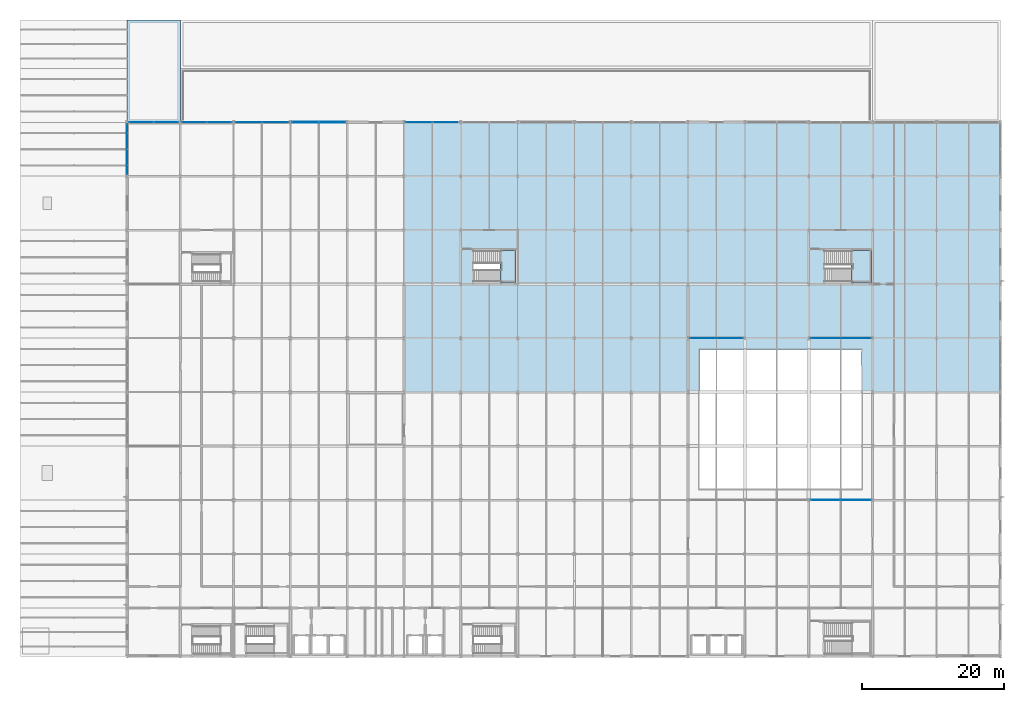
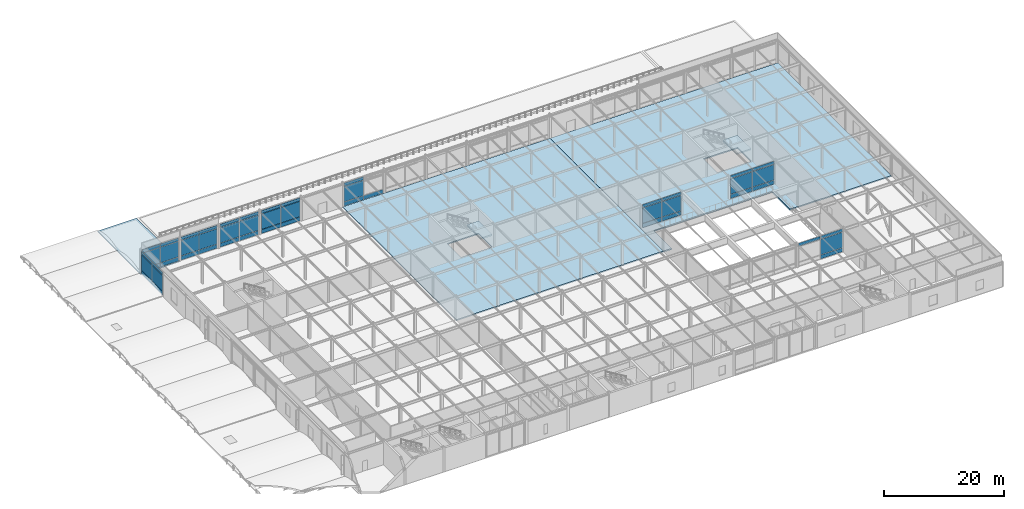
# One storey, part 54 of 79: 50 plates, 5 slabs, 11 elements without a shape of their own.
"""IFC4 building model written with IfcOpenShell, lengths in metres."""

from ifc_helpers import new_model, si_unit, direction, frame, origin, origin_2d, place, context, subcontext, project, spatial, polyline, rectangle, outline, extrude, material, layer, layer_set, type_object, element, aggregate, save


model = new_model("IFC4")

# Units and contexts
model_context = context("Model", 3, precision=1e-05, world=origin(), true_north=direction((0.0, 1.0)))
body_context = subcontext(model_context, "Body", "Model", "MODEL_VIEW")
ifc_project = project(units=[si_unit("LENGTHUNIT", "METRE"), si_unit("AREAUNIT", "SQUARE_METRE"), si_unit("VOLUMEUNIT", "CUBIC_METRE"), si_unit("PLANEANGLEUNIT", "RADIAN"), si_unit("MASSUNIT", "GRAM", prefix="KILO")], contexts=[model_context])

# Site, building, storey
site_placement = place(None, origin())
site = spatial("IfcSite", under=ifc_project, at=site_placement, CompositionType="ELEMENT")
building_placement = place(site_placement, origin())
building = spatial("IfcBuilding", under=site, at=building_placement, Name="Shalkamar Park Central Library", CompositionType="ELEMENT")
storey_placement = place(building_placement, frame((0.0, 0.0, 10.5)))
storey = spatial("IfcBuildingStorey", under=building, at=storey_placement, Name="L03", CompositionType="ELEMENT", Elevation=10.5)

# Curtain wall, plates
ifc_material_1 = material(Name="Thermally broken aluminium and triple low-e curtain wall", Category="aluminium")
ifc_layer_1 = layer(ifc_material_1, 0.2548828125)
ifc_layer_set_1 = layer_set([ifc_layer_1], Name="AtriumGlazedScreen_122")
curtain_wall_type_1 = type_object("IfcCurtainWallType", Name="Atrium Glazed Screen 122", PredefinedType="USERDEFINED", material=ifc_layer_set_1)
curtain_wall_1_placement = place(storey_placement, origin())
curtain_wall_1 = element("IfcCurtainWall", 1, at=curtain_wall_1_placement, inside=storey, type_object=curtain_wall_type_1, Name="Atrium Glazed Screen CW-L03-179", ObjectType="ATRIUM GLAZED SCREEN", PredefinedType="USERDEFINED")
ifc_material_2 = material(Name="Laminated acoustic interior glass", Category="glass")
ifc_layer_2 = layer(ifc_material_2, 0.02197265625)
ifc_layer_set_2 = layer_set([ifc_layer_2], Name="AcousticGlazedScreenPanel_22")
plate_type_1 = type_object("IfcPlateType", Name="Acoustic Glazed Screen Panel 22", PredefinedType="CURTAIN_PANEL", material=ifc_layer_set_2)
plate_1_placement = place(storey_placement, frame((248.376953125, 270.39990234375, 4.12255859375), z_axis=(0.0, 0.0, 1.0), x_axis=(1.0, 0.0, 0.0)))
plate_1 = element("IfcPlate", 2, at=plate_1_placement, type_object=plate_type_1, Name="CW-122 panel 1.3", PredefinedType="CURTAIN_PANEL", context=body_context, shape_type="SweptSolid", body=[
    extrude(rectangle(XDim=4.18603515625, YDim=0.02197265625, at=origin_2d()), origin(), (0.0, 0.0, 1.0), 0.652587890625),
])
plate_2_placement = place(storey_placement, frame((252.64306640625, 270.39990234375, 0.06494140625), z_axis=(0.0, 0.0, 1.0), x_axis=(1.0, 0.0, 0.0)))
plate_2 = element("IfcPlate", 3, at=plate_2_placement, type_object=plate_type_1, Name="CW-122 panel 2.1", PredefinedType="CURTAIN_PANEL", context=body_context, shape_type="SweptSolid", body=[
    extrude(rectangle(XDim=4.18603515625, YDim=0.02197265625, at=origin_2d()), origin(), (0.0, 0.0, 1.0), 0.802490234375),
])
plate_3_placement = place(storey_placement, frame((252.64306640625, 270.39990234375, 0.9326171875), z_axis=(0.0, 0.0, 1.0), x_axis=(1.0, 0.0, 0.0)))
plate_3 = element("IfcPlate", 4, at=plate_3_placement, type_object=plate_type_1, Name="CW-122 panel 2.2", PredefinedType="CURTAIN_PANEL", context=body_context, shape_type="SweptSolid", body=[
    extrude(rectangle(XDim=4.18603515625, YDim=0.02197265625, at=origin_2d()), origin(), (0.0, 0.0, 1.0), 3.125),
])
plate_4_placement = place(storey_placement, frame((252.64306640625, 270.39990234375, 4.12255859375), z_axis=(0.0, 0.0, 1.0), x_axis=(1.0, 0.0, 0.0)))
plate_4 = element("IfcPlate", 5, at=plate_4_placement, type_object=plate_type_1, Name="CW-122 panel 2.3", PredefinedType="CURTAIN_PANEL", context=body_context, shape_type="SweptSolid", body=[
    extrude(rectangle(XDim=4.18603515625, YDim=0.02197265625, at=origin_2d()), origin(), (0.0, 0.0, 1.0), 0.652587890625),
])
aggregate(curtain_wall_1, [plate_1, plate_2, plate_3, plate_4])

# Slab
ifc_material_3 = material(Name="Concrete C35/45", Category="concrete")
ifc_layer_3 = layer(ifc_material_3, 0.25)
ifc_layer_set_3 = layer_set([ifc_layer_3], Name="Concrete C35/45")
slab_type_1 = type_object("IfcSlabType", Name="Flat Roof Slab 140", PredefinedType="ROOF", material=ifc_layer_set_3)
slab_1_placement = place(storey_placement, frame((0.0, 0.0, -0.25)))
element("IfcSlab", 6, at=slab_1_placement, inside=storey, type_object=slab_type_1, Name="Flat Roof Slab RF-L02-NW", PredefinedType="ROOF", context=body_context, shape_type="SweptSolid", body=[
    extrude(outline(polyline([(150.0, 323.60009765625), (157.5, 323.60009765625), (157.5, 338.0), (150.0, 338.0), (150.0, 323.60009765625)])), origin(), (0.0, 0.0, 1.0), 0.25),
])

# Curtain wall, plates
ifc_layer_4 = layer(ifc_material_1, 0.27001953125)
ifc_layer_set_4 = layer_set([ifc_layer_4], Name="AtriumGlazedScreen_123")
curtain_wall_type_2 = type_object("IfcCurtainWallType", Name="Atrium Glazed Screen 123", PredefinedType="USERDEFINED", material=ifc_layer_set_4)
curtain_wall_2_placement = place(storey_placement, origin())
curtain_wall_2 = element("IfcCurtainWall", 7, at=curtain_wall_2_placement, inside=storey, type_object=curtain_wall_type_2, Name="Atrium Glazed Screen CW-L03-180", ObjectType="ATRIUM GLAZED SCREEN", PredefinedType="USERDEFINED")
ifc_material_4 = material(Name="Tempered clear atrium glass", Category="glass")
ifc_layer_5 = layer(ifc_material_4, 0.011962890625)
ifc_layer_set_5 = layer_set([ifc_layer_5], Name="InteriorAtriumGlassPanel_12")
plate_type_2 = type_object("IfcPlateType", Name="Interior Atrium Glass Panel 12", PredefinedType="CURTAIN_PANEL", material=ifc_layer_set_5)
plate_5_placement = place(storey_placement, frame((231.126953125, 293.199951171875, 0.06494140625), z_axis=(0.0, 0.0, 1.0), x_axis=(1.0, 0.0, 0.0)))
plate_5 = element("IfcPlate", 8, at=plate_5_placement, type_object=plate_type_2, Name="CW-123 panel 1.1", PredefinedType="CURTAIN_PANEL", context=body_context, shape_type="SweptSolid", body=[
    extrude(rectangle(XDim=3.68603515625, YDim=0.011962890625, at=origin_2d()), origin(), (0.0, 0.0, 1.0), 0.802490234375),
])
plate_6_placement = place(storey_placement, frame((231.126953125, 293.199951171875, 0.9326171875), z_axis=(0.0, 0.0, 1.0), x_axis=(1.0, 0.0, 0.0)))
plate_6 = element("IfcPlate", 9, at=plate_6_placement, type_object=plate_type_2, Name="CW-123 panel 1.2", PredefinedType="CURTAIN_PANEL", context=body_context, shape_type="SweptSolid", body=[
    extrude(rectangle(XDim=3.68603515625, YDim=0.011962890625, at=origin_2d()), origin(), (0.0, 0.0, 1.0), 3.125),
])
plate_7_placement = place(storey_placement, frame((231.126953125, 293.199951171875, 4.12255859375), z_axis=(0.0, 0.0, 1.0), x_axis=(1.0, 0.0, 0.0)))
plate_7 = element("IfcPlate", 10, at=plate_7_placement, type_object=plate_type_2, Name="CW-123 panel 1.3", PredefinedType="CURTAIN_PANEL", context=body_context, shape_type="SweptSolid", body=[
    extrude(rectangle(XDim=3.68603515625, YDim=0.011962890625, at=origin_2d()), origin(), (0.0, 0.0, 1.0), 0.652587890625),
])
plate_8_placement = place(storey_placement, frame((234.89306640625, 293.199951171875, 0.06494140625), z_axis=(0.0, 0.0, 1.0), x_axis=(1.0, 0.0, 0.0)))
plate_8 = element("IfcPlate", 11, at=plate_8_placement, type_object=plate_type_2, Name="CW-123 panel 2.1", PredefinedType="CURTAIN_PANEL", context=body_context, shape_type="SweptSolid", body=[
    extrude(rectangle(XDim=3.68603515625, YDim=0.011962890625, at=origin_2d()), origin(), (0.0, 0.0, 1.0), 0.802490234375),
])
plate_9_placement = place(storey_placement, frame((234.89306640625, 293.199951171875, 0.9326171875), z_axis=(0.0, 0.0, 1.0), x_axis=(1.0, 0.0, 0.0)))
plate_9 = element("IfcPlate", 12, at=plate_9_placement, type_object=plate_type_2, Name="CW-123 panel 2.2", PredefinedType="CURTAIN_PANEL", context=body_context, shape_type="SweptSolid", body=[
    extrude(rectangle(XDim=3.68603515625, YDim=0.011962890625, at=origin_2d()), origin(), (0.0, 0.0, 1.0), 3.125),
])
plate_10_placement = place(storey_placement, frame((234.89306640625, 293.199951171875, 4.12255859375), z_axis=(0.0, 0.0, 1.0), x_axis=(1.0, 0.0, 0.0)))
plate_10 = element("IfcPlate", 13, at=plate_10_placement, type_object=plate_type_2, Name="CW-123 panel 2.3", PredefinedType="CURTAIN_PANEL", context=body_context, shape_type="SweptSolid", body=[
    extrude(rectangle(XDim=3.68603515625, YDim=0.011962890625, at=origin_2d()), origin(), (0.0, 0.0, 1.0), 0.652587890625),
])
aggregate(curtain_wall_2, [plate_5, plate_6, plate_7, plate_8, plate_9, plate_10])

ifc_layer_6 = layer(ifc_material_1, 0.280029296875)
ifc_layer_set_6 = layer_set([ifc_layer_6], Name="AtriumGlazedScreen_124")
curtain_wall_type_3 = type_object("IfcCurtainWallType", Name="Atrium Glazed Screen 124", PredefinedType="USERDEFINED", material=ifc_layer_set_6)
curtain_wall_3_placement = place(storey_placement, origin())
curtain_wall_3 = element("IfcCurtainWall", 14, at=curtain_wall_3_placement, inside=storey, type_object=curtain_wall_type_3, Name="Atrium Glazed Screen CW-L03-181", ObjectType="ATRIUM GLAZED SCREEN", PredefinedType="USERDEFINED")
plate_11_placement = place(storey_placement, frame((248.37939453125, 293.199951171875, 0.070068359375), z_axis=(0.0, 0.0, 1.0), x_axis=(1.0, 0.0, 0.0)))
plate_11 = element("IfcPlate", 15, at=plate_11_placement, type_object=plate_type_2, Name="CW-124 panel 1.1", PredefinedType="CURTAIN_PANEL", context=body_context, shape_type="SweptSolid", body=[
    extrude(rectangle(XDim=4.1708984375, YDim=0.011962890625, at=origin_2d()), origin(), (0.0, 0.0, 1.0), 0.794921875),
])
plate_12_placement = place(storey_placement, frame((248.37939453125, 293.199951171875, 0.93505859375), z_axis=(0.0, 0.0, 1.0), x_axis=(1.0, 0.0, 0.0)))
plate_12 = element("IfcPlate", 16, at=plate_12_placement, type_object=plate_type_2, Name="CW-124 panel 1.2", PredefinedType="CURTAIN_PANEL", context=body_context, shape_type="SweptSolid", body=[
    extrude(rectangle(XDim=4.1708984375, YDim=0.011962890625, at=origin_2d()), origin(), (0.0, 0.0, 1.0), 3.1201171875),
])
plate_13_placement = place(storey_placement, frame((248.37939453125, 293.199951171875, 4.125), z_axis=(0.0, 0.0, 1.0), x_axis=(1.0, 0.0, 0.0)))
plate_13 = element("IfcPlate", 17, at=plate_13_placement, type_object=plate_type_2, Name="CW-124 panel 1.3", PredefinedType="CURTAIN_PANEL", context=body_context, shape_type="SweptSolid", body=[
    extrude(rectangle(XDim=4.1708984375, YDim=0.011962890625, at=origin_2d()), origin(), (0.0, 0.0, 1.0), 0.64501953125),
])
plate_14_placement = place(storey_placement, frame((252.640380859375, 293.199951171875, 0.070068359375), z_axis=(0.0, 0.0, 1.0), x_axis=(1.0, 0.0, 0.0)))
plate_14 = element("IfcPlate", 18, at=plate_14_placement, type_object=plate_type_2, Name="CW-124 panel 2.1", PredefinedType="CURTAIN_PANEL", context=body_context, shape_type="SweptSolid", body=[
    extrude(rectangle(XDim=4.1708984375, YDim=0.011962890625, at=origin_2d()), origin(), (0.0, 0.0, 1.0), 0.794921875),
])
plate_15_placement = place(storey_placement, frame((252.640380859375, 293.199951171875, 0.93505859375), z_axis=(0.0, 0.0, 1.0), x_axis=(1.0, 0.0, 0.0)))
plate_15 = element("IfcPlate", 19, at=plate_15_placement, type_object=plate_type_2, Name="CW-124 panel 2.2", PredefinedType="CURTAIN_PANEL", context=body_context, shape_type="SweptSolid", body=[
    extrude(rectangle(XDim=4.1708984375, YDim=0.011962890625, at=origin_2d()), origin(), (0.0, 0.0, 1.0), 3.1201171875),
])
plate_16_placement = place(storey_placement, frame((252.640380859375, 293.199951171875, 4.125), z_axis=(0.0, 0.0, 1.0), x_axis=(1.0, 0.0, 0.0)))
plate_16 = element("IfcPlate", 20, at=plate_16_placement, type_object=plate_type_2, Name="CW-124 panel 2.3", PredefinedType="CURTAIN_PANEL", context=body_context, shape_type="SweptSolid", body=[
    extrude(rectangle(XDim=4.1708984375, YDim=0.011962890625, at=origin_2d()), origin(), (0.0, 0.0, 1.0), 0.64501953125),
])
aggregate(curtain_wall_3, [plate_11, plate_12, plate_13, plate_14, plate_15, plate_16])

ifc_layer_7 = layer(ifc_material_1, 0.260009765625)
ifc_layer_set_7 = layer_set([ifc_layer_7], Name="UnitisedCurtainWall_23")
curtain_wall_type_4 = type_object("IfcCurtainWallType", Name="Unitised Curtain Wall 23", PredefinedType="USERDEFINED", material=ifc_layer_set_7)
curtain_wall_4_placement = place(storey_placement, origin())
curtain_wall_4 = element("IfcCurtainWall", 21, at=curtain_wall_4_placement, inside=storey, type_object=curtain_wall_type_4, Name="Unitised Curtain Wall CW-L03-047", ObjectType="UNITISED CURTAIN WALL", PredefinedType="USERDEFINED")
ifc_material_5 = material(Name="Triple-glazed solar-control glass", Category="glass")
ifc_layer_8 = layer(ifc_material_5, 0.031982421875)
ifc_layer_set_8 = layer_set([ifc_layer_8], Name="SolarControlVisionPanel_32")
plate_type_3 = type_object("IfcPlateType", Name="Solar Control Vision Panel 32", PredefinedType="CURTAIN_PANEL", material=ifc_layer_set_8)
plate_17_placement = place(storey_placement, frame((152.000732421875, 323.60009765625, 0.06005859375), z_axis=(0.0, 0.0, 1.0), x_axis=(1.0, 0.0, 0.0)))
plate_17 = element("IfcPlate", 22, at=plate_17_placement, type_object=plate_type_3, Name="CW-23 panel 1.1", PredefinedType="CURTAIN_PANEL", context=body_context, shape_type="SweptSolid", body=[
    extrude(rectangle(XDim=3.443603515625, YDim=0.031982421875, at=origin_2d()), origin(), (0.0, 0.0, 1.0), 0.81005859375),
])
plate_18_placement = place(storey_placement, frame((152.000732421875, 323.60009765625, 0.93017578125), z_axis=(0.0, 0.0, 1.0), x_axis=(1.0, 0.0, 0.0)))
plate_18 = element("IfcPlate", 23, at=plate_18_placement, type_object=plate_type_3, Name="CW-23 panel 1.2", PredefinedType="CURTAIN_PANEL", context=body_context, shape_type="SweptSolid", body=[
    extrude(rectangle(XDim=3.443603515625, YDim=0.031982421875, at=origin_2d()), origin(), (0.0, 0.0, 1.0), 3.139892578125),
])
plate_19_placement = place(storey_placement, frame((152.000732421875, 323.60009765625, 4.1298828125), z_axis=(0.0, 0.0, 1.0), x_axis=(1.0, 0.0, 0.0)))
plate_19 = element("IfcPlate", 24, at=plate_19_placement, type_object=plate_type_3, Name="CW-23 panel 1.3", PredefinedType="CURTAIN_PANEL", context=body_context, shape_type="SweptSolid", body=[
    extrude(rectangle(XDim=3.443603515625, YDim=0.031982421875, at=origin_2d()), origin(), (0.0, 0.0, 1.0), 0.659912109375),
])
plate_20_placement = place(storey_placement, frame((155.519287109375, 323.60009765625, 0.06005859375), z_axis=(0.0, 0.0, 1.0), x_axis=(1.0, 0.0, 0.0)))
plate_20 = element("IfcPlate", 25, at=plate_20_placement, type_object=plate_type_3, Name="CW-23 panel 2.1", PredefinedType="CURTAIN_PANEL", context=body_context, shape_type="SweptSolid", body=[
    extrude(rectangle(XDim=3.443603515625, YDim=0.031982421875, at=origin_2d()), origin(), (0.0, 0.0, 1.0), 0.81005859375),
])
plate_21_placement = place(storey_placement, frame((155.519287109375, 323.60009765625, 0.93017578125), z_axis=(0.0, 0.0, 1.0), x_axis=(1.0, 0.0, 0.0)))
plate_21 = element("IfcPlate", 26, at=plate_21_placement, type_object=plate_type_3, Name="CW-23 panel 2.2", PredefinedType="CURTAIN_PANEL", context=body_context, shape_type="SweptSolid", body=[
    extrude(rectangle(XDim=3.443603515625, YDim=0.031982421875, at=origin_2d()), origin(), (0.0, 0.0, 1.0), 3.139892578125),
])
plate_22_placement = place(storey_placement, frame((155.519287109375, 323.60009765625, 4.1298828125), z_axis=(0.0, 0.0, 1.0), x_axis=(1.0, 0.0, 0.0)))
plate_22 = element("IfcPlate", 27, at=plate_22_placement, type_object=plate_type_3, Name="CW-23 panel 2.3", PredefinedType="CURTAIN_PANEL", context=body_context, shape_type="SweptSolid", body=[
    extrude(rectangle(XDim=3.443603515625, YDim=0.031982421875, at=origin_2d()), origin(), (0.0, 0.0, 1.0), 0.659912109375),
])
aggregate(curtain_wall_4, [plate_17, plate_18, plate_19, plate_20, plate_21, plate_22])

ifc_layer_9 = layer(ifc_material_1, 0.264892578125)
ifc_layer_set_9 = layer_set([ifc_layer_9], Name="UnitisedCurtainWall_40")
curtain_wall_type_5 = type_object("IfcCurtainWallType", Name="Unitised Curtain Wall 40", PredefinedType="USERDEFINED", material=ifc_layer_set_9)
curtain_wall_5_placement = place(storey_placement, origin())
curtain_wall_5 = element("IfcCurtainWall", 28, at=curtain_wall_5_placement, inside=storey, type_object=curtain_wall_type_5, Name="Unitised Curtain Wall CW-L03-050", ObjectType="UNITISED CURTAIN WALL", PredefinedType="USERDEFINED")
ifc_material_6 = material(Name="Insulated aluminium spandrel panel", Category="aluminium")
ifc_layer_10 = layer(ifc_material_6, 0.080078125)
ifc_layer_set_10 = layer_set([ifc_layer_10], Name="SpandrelShadowboxPanel_80")
plate_type_4 = type_object("IfcPlateType", Name="Spandrel Shadowbox Panel 80", PredefinedType="CURTAIN_PANEL", material=ifc_layer_set_10)
plate_23_placement = place(storey_placement, frame((175.108154296875, 323.60009765625, 0.070068359375), z_axis=(0.0, 0.0, 1.0), x_axis=(1.0, 0.0, 0.0)))
plate_23 = element("IfcPlate", 29, at=plate_23_placement, type_object=plate_type_4, Name="CW-40 panel 1.1", PredefinedType="CURTAIN_PANEL", context=body_context, shape_type="SweptSolid", body=[
    extrude(rectangle(XDim=3.678466796875, YDim=0.080078125, at=origin_2d()), origin(), (0.0, 0.0, 1.0), 0.794921875),
])
plate_24_placement = place(storey_placement, frame((175.108154296875, 323.60009765625, 0.93505859375), z_axis=(0.0, 0.0, 1.0), x_axis=(1.0, 0.0, 0.0)))
plate_24 = element("IfcPlate", 30, at=plate_24_placement, type_object=plate_type_4, Name="CW-40 panel 1.2", PredefinedType="CURTAIN_PANEL", context=body_context, shape_type="SweptSolid", body=[
    extrude(rectangle(XDim=3.678466796875, YDim=0.080078125, at=origin_2d()), origin(), (0.0, 0.0, 1.0), 3.1201171875),
])
plate_25_placement = place(storey_placement, frame((175.108154296875, 323.60009765625, 4.125), z_axis=(0.0, 0.0, 1.0), x_axis=(1.0, 0.0, 0.0)))
plate_25 = element("IfcPlate", 31, at=plate_25_placement, type_object=plate_type_4, Name="CW-40 panel 1.3", PredefinedType="CURTAIN_PANEL", context=body_context, shape_type="SweptSolid", body=[
    extrude(rectangle(XDim=3.678466796875, YDim=0.080078125, at=origin_2d()), origin(), (0.0, 0.0, 1.0), 0.64501953125),
])
plate_26_placement = place(storey_placement, frame((178.871826171875, 323.60009765625, 0.070068359375), z_axis=(0.0, 0.0, 1.0), x_axis=(1.0, 0.0, 0.0)))
plate_26 = element("IfcPlate", 32, at=plate_26_placement, type_object=plate_type_4, Name="CW-40 panel 2.1", PredefinedType="CURTAIN_PANEL", context=body_context, shape_type="SweptSolid", body=[
    extrude(rectangle(XDim=3.678466796875, YDim=0.080078125, at=origin_2d()), origin(), (0.0, 0.0, 1.0), 0.794921875),
])
plate_27_placement = place(storey_placement, frame((178.871826171875, 323.60009765625, 0.93505859375), z_axis=(0.0, 0.0, 1.0), x_axis=(1.0, 0.0, 0.0)))
plate_27 = element("IfcPlate", 33, at=plate_27_placement, type_object=plate_type_4, Name="CW-40 panel 2.2", PredefinedType="CURTAIN_PANEL", context=body_context, shape_type="SweptSolid", body=[
    extrude(rectangle(XDim=3.678466796875, YDim=0.080078125, at=origin_2d()), origin(), (0.0, 0.0, 1.0), 3.1201171875),
])
plate_28_placement = place(storey_placement, frame((178.871826171875, 323.60009765625, 4.125), z_axis=(0.0, 0.0, 1.0), x_axis=(1.0, 0.0, 0.0)))
plate_28 = element("IfcPlate", 34, at=plate_28_placement, type_object=plate_type_4, Name="CW-40 panel 2.3", PredefinedType="CURTAIN_PANEL", context=body_context, shape_type="SweptSolid", body=[
    extrude(rectangle(XDim=3.678466796875, YDim=0.080078125, at=origin_2d()), origin(), (0.0, 0.0, 1.0), 0.64501953125),
])
aggregate(curtain_wall_5, [plate_23, plate_24, plate_25, plate_26, plate_27, plate_28])

# Stair, slab
stair_type_1 = type_object("IfcStairType", Name="Protected Dog Leg Stair 200x510", PredefinedType="TWO_STRAIGHT_RUN_STAIR", material=ifc_material_3)
stair_1_placement = place(storey_placement, origin())
stair_1 = element("IfcStair", 35, at=stair_1_placement, inside=storey, type_object=stair_type_1, Name="Protected Core Stair ST-P4-L03", PredefinedType="TWO_STRAIGHT_RUN_STAIR")
ifc_layer_11 = layer(ifc_material_3, 0.280029296875)
ifc_layer_set_11 = layer_set([ifc_layer_11], Name="Concrete C35/45")
slab_type_2 = type_object("IfcSlabType", Name="Stair Landing Slab 160", PredefinedType="LANDING", material=ifc_layer_set_11)
slab_2_placement = place(storey_placement, frame((0.0, 0.0, 2.27001953125)))
slab_2 = element("IfcSlab", 36, at=slab_2_placement, type_object=slab_type_2, Name="ST-P4-L03 landing 1", PredefinedType="LANDING", context=body_context, shape_type="SweptSolid", body=[
    extrude(outline(polyline([(251.965087890625, 300.9951171875), (254.804931640625, 300.9951171875), (254.804931640625, 305.554931640625), (251.965087890625, 305.554931640625), (251.965087890625, 300.9951171875)])), origin(), (0.0, 0.0, 1.0), 0.280029296875),
])
aggregate(stair_1, [slab_2])

stair_type_2 = type_object("IfcStairType", Name="Protected Dog Leg Stair 180x510", PredefinedType="TWO_STRAIGHT_RUN_STAIR", material=ifc_material_3)
stair_2_placement = place(storey_placement, origin())
stair_2 = element("IfcStair", 37, at=stair_2_placement, inside=storey, type_object=stair_type_2, Name="Protected Core Stair ST-P7-L03", PredefinedType="TWO_STRAIGHT_RUN_STAIR")
slab_3_placement = place(storey_placement, frame((0.0, 0.0, 2.27001953125)))
slab_3 = element("IfcSlab", 38, at=slab_3_placement, type_object=slab_type_2, Name="ST-P7-L03 landing 1", PredefinedType="LANDING", context=body_context, shape_type="SweptSolid", body=[
    extrude(outline(polyline([(202.534912109375, 300.9951171875), (204.804931640625, 300.9951171875), (204.804931640625, 305.554931640625), (202.534912109375, 305.554931640625), (202.534912109375, 300.9951171875)])), origin(), (0.0, 0.0, 1.0), 0.280029296875),
])
aggregate(stair_2, [slab_3])

# Slabs
ifc_layer_12 = layer(ifc_material_3, 0.239990234375)
ifc_layer_set_12 = layer_set([ifc_layer_12], Name="Concrete C35/45")
slab_type_3 = type_object("IfcSlabType", Name="Suspended Floor Slab 240", PredefinedType="FLOOR", material=ifc_layer_set_12)
slab_4_placement = place(storey_placement, frame((0.0, 0.0, -0.239990234375)))
element("IfcSlab", 39, at=slab_4_placement, inside=storey, type_object=slab_type_3, Name="Level L03 Composite Floor Slab NC", PredefinedType="FLOOR", context=body_context, shape_type="SweptSolid", body=[
    extrude(outline(polyline([(189.0, 285.60009765625), (189.0, 323.60009765625), (229.0, 323.60009765625), (229.0, 285.60009765625), (189.0, 285.60009765625)]), holes=[polyline([(204.824951171875, 305.574951171875), (198.794921875, 305.574951171875), (198.794921875, 300.97509765625), (204.824951171875, 300.97509765625), (204.824951171875, 305.574951171875)])]), origin(), (0.0, 0.0, 1.0), 0.239990234375),
])
slab_5_placement = place(storey_placement, frame((0.0, 0.0, -0.239990234375)))
element("IfcSlab", 40, at=slab_5_placement, inside=storey, type_object=slab_type_3, Name="Level L03 Composite Floor Slab NE", PredefinedType="FLOOR", context=body_context, shape_type="SweptSolid", body=[
    extrude(outline(polyline([(229.0, 285.60009765625), (229.0, 323.60009765625), (273.0, 323.60009765625), (273.0, 285.60009765625), (253.39990234375, 285.60009765625), (253.39990234375, 291.60009765625), (230.60009765625, 291.60009765625), (230.60009765625, 285.60009765625), (229.0, 285.60009765625)]), holes=[polyline([(254.824951171875, 305.574951171875), (248.22509765625, 305.574951171875), (248.22509765625, 300.97509765625), (254.824951171875, 300.97509765625), (254.824951171875, 305.574951171875)])]), origin(), (0.0, 0.0, 1.0), 0.239990234375),
])

# Curtain wall, plates
ifc_layer_13 = layer(ifc_material_1, 0.27001953125)
ifc_layer_set_13 = layer_set([ifc_layer_13], Name="UnitisedCurtainWall_42")
curtain_wall_type_6 = type_object("IfcCurtainWallType", Name="Unitised Curtain Wall 42", PredefinedType="USERDEFINED", material=ifc_layer_set_13)
curtain_wall_6_placement = place(storey_placement, origin())
curtain_wall_6 = element("IfcCurtainWall", 41, at=curtain_wall_6_placement, inside=storey, type_object=curtain_wall_type_6, Name="Unitised Curtain Wall CW-L03-049", ObjectType="UNITISED CURTAIN WALL", PredefinedType="USERDEFINED")
ifc_material_7 = material(Name="Triple-glazed laminated glass", Category="glass")
ifc_layer_14 = layer(ifc_material_7, 0.06005859375)
ifc_layer_set_14 = layer_set([ifc_layer_14], Name="TripleGlazedPodiumPanel_60")
plate_type_5 = type_object("IfcPlateType", Name="Triple Glazed Podium Panel 60", PredefinedType="CURTAIN_PANEL", material=ifc_layer_set_14)
plate_29_placement = place(storey_placement, frame((167.126953125, 323.60009765625, 0.06494140625), z_axis=(0.0, 0.0, 1.0), x_axis=(1.0, 0.0, 0.0)))
plate_29 = element("IfcPlate", 42, at=plate_29_placement, type_object=plate_type_5, Name="CW-42 panel 1.1", PredefinedType="CURTAIN_PANEL", context=body_context, shape_type="SweptSolid", body=[
    extrude(rectangle(XDim=3.68603515625, YDim=0.06005859375, at=origin_2d()), origin(), (0.0, 0.0, 1.0), 0.802490234375),
])
plate_30_placement = place(storey_placement, frame((167.126953125, 323.60009765625, 0.9326171875), z_axis=(0.0, 0.0, 1.0), x_axis=(1.0, 0.0, 0.0)))
plate_30 = element("IfcPlate", 43, at=plate_30_placement, type_object=plate_type_5, Name="CW-42 panel 1.2", PredefinedType="CURTAIN_PANEL", context=body_context, shape_type="SweptSolid", body=[
    extrude(rectangle(XDim=3.68603515625, YDim=0.06005859375, at=origin_2d()), origin(), (0.0, 0.0, 1.0), 3.125),
])
plate_31_placement = place(storey_placement, frame((167.126953125, 323.60009765625, 4.12255859375), z_axis=(0.0, 0.0, 1.0), x_axis=(1.0, 0.0, 0.0)))
plate_31 = element("IfcPlate", 44, at=plate_31_placement, type_object=plate_type_5, Name="CW-42 panel 1.3", PredefinedType="CURTAIN_PANEL", context=body_context, shape_type="SweptSolid", body=[
    extrude(rectangle(XDim=3.68603515625, YDim=0.06005859375, at=origin_2d()), origin(), (0.0, 0.0, 1.0), 0.652587890625),
])
plate_32_placement = place(storey_placement, frame((170.89306640625, 323.60009765625, 0.06494140625), z_axis=(0.0, 0.0, 1.0), x_axis=(1.0, 0.0, 0.0)))
plate_32 = element("IfcPlate", 45, at=plate_32_placement, type_object=plate_type_5, Name="CW-42 panel 2.1", PredefinedType="CURTAIN_PANEL", context=body_context, shape_type="SweptSolid", body=[
    extrude(rectangle(XDim=3.68603515625, YDim=0.06005859375, at=origin_2d()), origin(), (0.0, 0.0, 1.0), 0.802490234375),
])
plate_33_placement = place(storey_placement, frame((170.89306640625, 323.60009765625, 0.9326171875), z_axis=(0.0, 0.0, 1.0), x_axis=(1.0, 0.0, 0.0)))
plate_33 = element("IfcPlate", 46, at=plate_33_placement, type_object=plate_type_5, Name="CW-42 panel 2.2", PredefinedType="CURTAIN_PANEL", context=body_context, shape_type="SweptSolid", body=[
    extrude(rectangle(XDim=3.68603515625, YDim=0.06005859375, at=origin_2d()), origin(), (0.0, 0.0, 1.0), 3.125),
])
plate_34_placement = place(storey_placement, frame((170.89306640625, 323.60009765625, 4.12255859375), z_axis=(0.0, 0.0, 1.0), x_axis=(1.0, 0.0, 0.0)))
plate_34 = element("IfcPlate", 47, at=plate_34_placement, type_object=plate_type_5, Name="CW-42 panel 2.3", PredefinedType="CURTAIN_PANEL", context=body_context, shape_type="SweptSolid", body=[
    extrude(rectangle(XDim=3.68603515625, YDim=0.06005859375, at=origin_2d()), origin(), (0.0, 0.0, 1.0), 0.652587890625),
])
aggregate(curtain_wall_6, [plate_29, plate_30, plate_31, plate_32, plate_33, plate_34])

ifc_layer_15 = layer(ifc_material_1, 0.260009765625)
ifc_layer_set_15 = layer_set([ifc_layer_15], Name="UnitisedCurtainWall_51")
curtain_wall_type_7 = type_object("IfcCurtainWallType", Name="Unitised Curtain Wall 51", PredefinedType="USERDEFINED", material=ifc_layer_set_15)
curtain_wall_7_placement = place(storey_placement, origin())
curtain_wall_7 = element("IfcCurtainWall", 48, at=curtain_wall_7_placement, inside=storey, type_object=curtain_wall_type_7, Name="Unitised Curtain Wall CW-L03-062", ObjectType="UNITISED CURTAIN WALL", PredefinedType="USERDEFINED")
plate_35_placement = place(storey_placement, frame((150.0, 318.020751953125, 0.06005859375), z_axis=(0.0, 0.0, 1.0), x_axis=(0.0, 1.0, 0.0)))
plate_35 = element("IfcPlate", 49, at=plate_35_placement, type_object=plate_type_5, Name="CW-51 panel 1.1", PredefinedType="CURTAIN_PANEL", context=body_context, shape_type="SweptSolid", body=[
    extrude(rectangle(XDim=3.4833984375, YDim=0.06005859375, at=origin_2d()), origin(), (0.0, 0.0, 1.0), 0.81005859375),
])
plate_36_placement = place(storey_placement, frame((150.0, 318.020751953125, 0.93017578125), z_axis=(0.0, 0.0, 1.0), x_axis=(0.0, 1.0, 0.0)))
plate_36 = element("IfcPlate", 50, at=plate_36_placement, type_object=plate_type_5, Name="CW-51 panel 1.2", PredefinedType="CURTAIN_PANEL", context=body_context, shape_type="SweptSolid", body=[
    extrude(rectangle(XDim=3.4833984375, YDim=0.06005859375, at=origin_2d()), origin(), (0.0, 0.0, 1.0), 3.139892578125),
])
plate_37_placement = place(storey_placement, frame((150.0, 318.020751953125, 4.1298828125), z_axis=(0.0, 0.0, 1.0), x_axis=(0.0, 1.0, 0.0)))
plate_37 = element("IfcPlate", 51, at=plate_37_placement, type_object=plate_type_5, Name="CW-51 panel 1.3", PredefinedType="CURTAIN_PANEL", context=body_context, shape_type="SweptSolid", body=[
    extrude(rectangle(XDim=3.4833984375, YDim=0.06005859375, at=origin_2d()), origin(), (0.0, 0.0, 1.0), 0.659912109375),
])
plate_38_placement = place(storey_placement, frame((150.0, 321.579345703125, 0.06005859375), z_axis=(0.0, 0.0, 1.0), x_axis=(0.0, 1.0, 0.0)))
plate_38 = element("IfcPlate", 52, at=plate_38_placement, type_object=plate_type_5, Name="CW-51 panel 2.1", PredefinedType="CURTAIN_PANEL", context=body_context, shape_type="SweptSolid", body=[
    extrude(rectangle(XDim=3.4833984375, YDim=0.06005859375, at=origin_2d()), origin(), (0.0, 0.0, 1.0), 0.81005859375),
])
plate_39_placement = place(storey_placement, frame((150.0, 321.579345703125, 0.93017578125), z_axis=(0.0, 0.0, 1.0), x_axis=(0.0, 1.0, 0.0)))
plate_39 = element("IfcPlate", 53, at=plate_39_placement, type_object=plate_type_5, Name="CW-51 panel 2.2", PredefinedType="CURTAIN_PANEL", context=body_context, shape_type="SweptSolid", body=[
    extrude(rectangle(XDim=3.4833984375, YDim=0.06005859375, at=origin_2d()), origin(), (0.0, 0.0, 1.0), 3.139892578125),
])
plate_40_placement = place(storey_placement, frame((150.0, 321.579345703125, 4.1298828125), z_axis=(0.0, 0.0, 1.0), x_axis=(0.0, 1.0, 0.0)))
plate_40 = element("IfcPlate", 54, at=plate_40_placement, type_object=plate_type_5, Name="CW-51 panel 2.3", PredefinedType="CURTAIN_PANEL", context=body_context, shape_type="SweptSolid", body=[
    extrude(rectangle(XDim=3.4833984375, YDim=0.06005859375, at=origin_2d()), origin(), (0.0, 0.0, 1.0), 0.659912109375),
])
aggregate(curtain_wall_7, [plate_35, plate_36, plate_37, plate_38, plate_39, plate_40])

ifc_layer_16 = layer(ifc_material_1, 0.2548828125)
ifc_layer_set_16 = layer_set([ifc_layer_16], Name="UnitisedCurtainWall_41")
curtain_wall_type_8 = type_object("IfcCurtainWallType", Name="Unitised Curtain Wall 41", PredefinedType="USERDEFINED", material=ifc_layer_set_16)
curtain_wall_8_placement = place(storey_placement, origin())
curtain_wall_8 = element("IfcCurtainWall", 55, at=curtain_wall_8_placement, inside=storey, type_object=curtain_wall_type_8, Name="Unitised Curtain Wall CW-L03-048", ObjectType="UNITISED CURTAIN WALL", PredefinedType="USERDEFINED")
ifc_material_8 = material(Name="Triple-glazed low-e safety glass", Category="glass")
ifc_layer_17 = layer(ifc_material_8, 0.0439453125)
ifc_layer_set_17 = layer_set([ifc_layer_17], Name="TripleGlazedVisionPanel_44")
plate_type_6 = type_object("IfcPlateType", Name="Triple Glazed Vision Panel 44", PredefinedType="CURTAIN_PANEL", material=ifc_layer_set_17)
plate_41_placement = place(storey_placement, frame((159.48193359375, 323.60009765625, 0.06494140625), z_axis=(0.0, 0.0, 1.0), x_axis=(1.0, 0.0, 0.0)))
plate_41 = element("IfcPlate", 56, at=plate_41_placement, type_object=plate_type_6, Name="CW-41 panel 1.1", PredefinedType="CURTAIN_PANEL", context=body_context, shape_type="SweptSolid", body=[
    extrude(rectangle(XDim=3.43603515625, YDim=0.0439453125, at=origin_2d()), origin(), (0.0, 0.0, 1.0), 0.802490234375),
])
plate_42_placement = place(storey_placement, frame((159.48193359375, 323.60009765625, 0.9326171875), z_axis=(0.0, 0.0, 1.0), x_axis=(1.0, 0.0, 0.0)))
plate_42 = element("IfcPlate", 57, at=plate_42_placement, type_object=plate_type_6, Name="CW-41 panel 1.2", PredefinedType="CURTAIN_PANEL", context=body_context, shape_type="SweptSolid", body=[
    extrude(rectangle(XDim=3.43603515625, YDim=0.0439453125, at=origin_2d()), origin(), (0.0, 0.0, 1.0), 3.125),
])
plate_43_placement = place(storey_placement, frame((159.48193359375, 323.60009765625, 4.12255859375), z_axis=(0.0, 0.0, 1.0), x_axis=(1.0, 0.0, 0.0)))
plate_43 = element("IfcPlate", 58, at=plate_43_placement, type_object=plate_type_6, Name="CW-41 panel 1.3", PredefinedType="CURTAIN_PANEL", context=body_context, shape_type="SweptSolid", body=[
    extrude(rectangle(XDim=3.43603515625, YDim=0.0439453125, at=origin_2d()), origin(), (0.0, 0.0, 1.0), 0.652587890625),
])
plate_44_placement = place(storey_placement, frame((162.998046875, 323.60009765625, 0.06494140625), z_axis=(0.0, 0.0, 1.0), x_axis=(1.0, 0.0, 0.0)))
plate_44 = element("IfcPlate", 59, at=plate_44_placement, type_object=plate_type_6, Name="CW-41 panel 2.1", PredefinedType="CURTAIN_PANEL", context=body_context, shape_type="SweptSolid", body=[
    extrude(rectangle(XDim=3.43603515625, YDim=0.0439453125, at=origin_2d()), origin(), (0.0, 0.0, 1.0), 0.802490234375),
])
plate_45_placement = place(storey_placement, frame((162.998046875, 323.60009765625, 0.9326171875), z_axis=(0.0, 0.0, 1.0), x_axis=(1.0, 0.0, 0.0)))
plate_45 = element("IfcPlate", 60, at=plate_45_placement, type_object=plate_type_6, Name="CW-41 panel 2.2", PredefinedType="CURTAIN_PANEL", context=body_context, shape_type="SweptSolid", body=[
    extrude(rectangle(XDim=3.43603515625, YDim=0.0439453125, at=origin_2d()), origin(), (0.0, 0.0, 1.0), 3.125),
])
plate_46_placement = place(storey_placement, frame((162.998046875, 323.60009765625, 4.12255859375), z_axis=(0.0, 0.0, 1.0), x_axis=(1.0, 0.0, 0.0)))
plate_46 = element("IfcPlate", 61, at=plate_46_placement, type_object=plate_type_6, Name="CW-41 panel 2.3", PredefinedType="CURTAIN_PANEL", context=body_context, shape_type="SweptSolid", body=[
    extrude(rectangle(XDim=3.43603515625, YDim=0.0439453125, at=origin_2d()), origin(), (0.0, 0.0, 1.0), 0.652587890625),
])
aggregate(curtain_wall_8, [plate_41, plate_42, plate_43, plate_44, plate_45, plate_46])

ifc_layer_18 = layer(ifc_material_1, 0.25)
ifc_layer_set_18 = layer_set([ifc_layer_18], Name="UnitisedCurtainWall_43")
curtain_wall_type_9 = type_object("IfcCurtainWallType", Name="Unitised Curtain Wall 43", PredefinedType="USERDEFINED", material=ifc_layer_set_18)
curtain_wall_9_placement = place(storey_placement, origin())
curtain_wall_9 = element("IfcCurtainWall", 62, at=curtain_wall_9_placement, inside=storey, type_object=curtain_wall_type_9, Name="Unitised Curtain Wall CW-L03-051", ObjectType="UNITISED CURTAIN WALL", PredefinedType="USERDEFINED")
plate_47_placement = place(storey_placement, frame((191.105712890625, 323.60009765625, 0.06005859375), z_axis=(0.0, 0.0, 1.0), x_axis=(1.0, 0.0, 0.0)))
plate_47 = element("IfcPlate", 63, at=plate_47_placement, type_object=plate_type_6, Name="CW-43 panel 1.1", PredefinedType="CURTAIN_PANEL", context=body_context, shape_type="SweptSolid", body=[
    extrude(rectangle(XDim=3.693603515625, YDim=0.0439453125, at=origin_2d()), origin(), (0.0, 0.0, 1.0), 0.81005859375),
])
plate_48_placement = place(storey_placement, frame((191.105712890625, 323.60009765625, 0.93017578125), z_axis=(0.0, 0.0, 1.0), x_axis=(1.0, 0.0, 0.0)))
plate_48 = element("IfcPlate", 64, at=plate_48_placement, type_object=plate_type_6, Name="CW-43 panel 1.2", PredefinedType="CURTAIN_PANEL", context=body_context, shape_type="SweptSolid", body=[
    extrude(rectangle(XDim=3.693603515625, YDim=0.0439453125, at=origin_2d()), origin(), (0.0, 0.0, 1.0), 3.1298828125),
])
plate_49_placement = place(storey_placement, frame((191.105712890625, 323.60009765625, 4.1201171875), z_axis=(0.0, 0.0, 1.0), x_axis=(1.0, 0.0, 0.0)))
plate_49 = element("IfcPlate", 65, at=plate_49_placement, type_object=plate_type_6, Name="CW-43 panel 1.3", PredefinedType="CURTAIN_PANEL", context=body_context, shape_type="SweptSolid", body=[
    extrude(rectangle(XDim=3.693603515625, YDim=0.0439453125, at=origin_2d()), origin(), (0.0, 0.0, 1.0), 0.659912109375),
])
plate_50_placement = place(storey_placement, frame((194.874267578125, 323.60009765625, 0.06005859375), z_axis=(0.0, 0.0, 1.0), x_axis=(1.0, 0.0, 0.0)))
plate_50 = element("IfcPlate", 66, at=plate_50_placement, type_object=plate_type_6, Name="CW-43 panel 2.1", PredefinedType="CURTAIN_PANEL", context=body_context, shape_type="SweptSolid", body=[
    extrude(rectangle(XDim=3.693603515625, YDim=0.0439453125, at=origin_2d()), origin(), (0.0, 0.0, 1.0), 0.81005859375),
])
aggregate(curtain_wall_9, [plate_47, plate_48, plate_49, plate_50])

save(model, "model.ifc")
